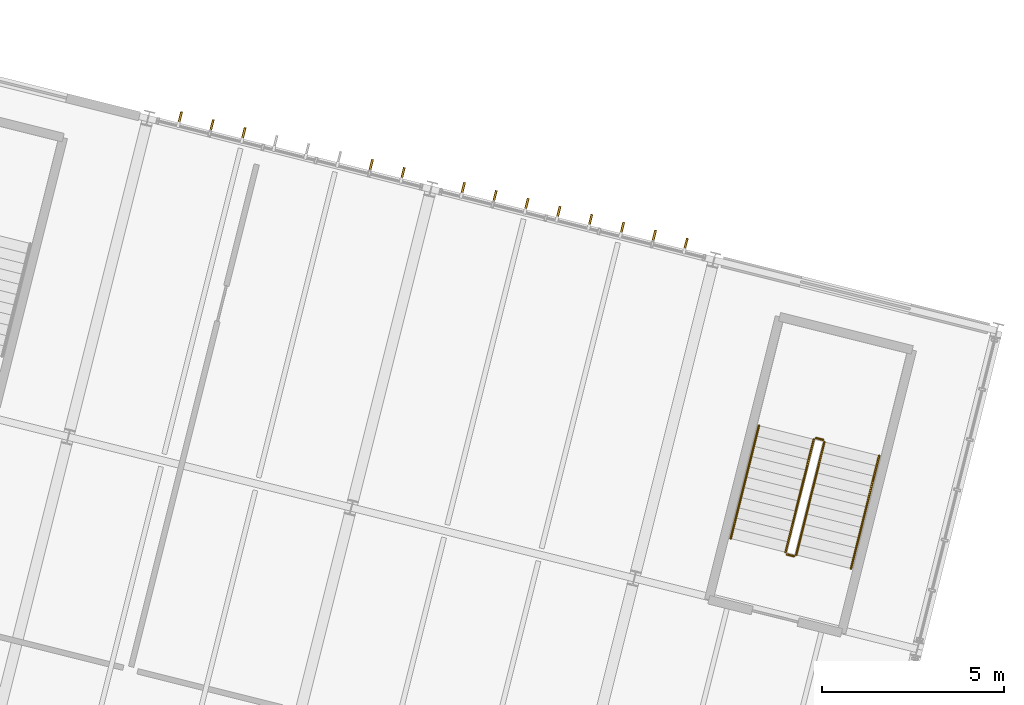
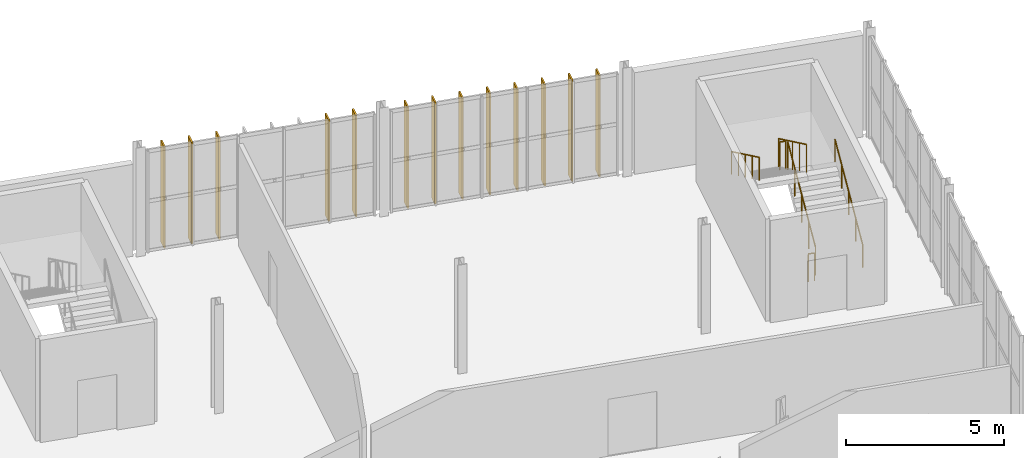
# One storey, part 61 of 61: 13 shading devices, 6 railings.
"""IFC4 building model written with IfcOpenShell, lengths in metres."""

from ifc_helpers import new_model, si_unit, derived_unit, direction, frame, origin, origin_2d, place, context, subcontext, project, spatial, rectangle, circle, extrude, material, layer, layer_set, type_object, element, save


model = new_model("IFC4")

# Units and contexts
model_context = context("Model", 3, precision=1e-05, world=origin(), true_north=direction((0.0, 1.0)))
body_context = subcontext(model_context, "Body", "Model", "MODEL_VIEW")
ifc_project = project(units=[si_unit("LENGTHUNIT", "METRE"), si_unit("AREAUNIT", "SQUARE_METRE"), si_unit("VOLUMEUNIT", "CUBIC_METRE"), si_unit("PLANEANGLEUNIT", "RADIAN"), si_unit("MASSUNIT", "GRAM", prefix="KILO"), si_unit("THERMODYNAMICTEMPERATUREUNIT", "KELVIN"), si_unit("TIMEUNIT", "SECOND"), derived_unit("THERMALTRANSMITTANCEUNIT", [(si_unit("MASSUNIT", "GRAM", prefix="KILO"), 1), (si_unit("THERMODYNAMICTEMPERATUREUNIT", "KELVIN"), -1), (si_unit("TIMEUNIT", "SECOND"), -3)])], contexts=[model_context])

# Site, building, storey
site_placement = place(None, origin())
site = spatial("IfcSite", under=ifc_project, at=site_placement, CompositionType="ELEMENT")
building_placement = place(site_placement, origin())
building = spatial("IfcBuilding", under=site, at=building_placement, Name="Cambertide Market Hall", CompositionType="ELEMENT")
storey_placement = place(building_placement, frame((0.0, 0.0, 9.89990234375)))
storey = spatial("IfcBuildingStorey", under=building, at=storey_placement, Name="L03", CompositionType="ELEMENT", Elevation=9.89990234375)

# Railings
ifc_material_1 = material(Name="Stainless Steel Grade 316", Category="metal")
railing_type_1 = type_object("IfcRailingType", Name="Stair Wall Handrail 900", PredefinedType="HANDRAIL", material=ifc_material_1)
railing_1_placement = place(storey_placement, frame((172.6357421875, 104.1474609375, 0.175048828125)))
element("IfcRailing", 1, at=railing_1_placement, inside=storey, type_object=railing_type_1, Name="Level 3 ST-08B stair handrail 1", PredefinedType="HANDRAIL", context=body_context, shape_type="SweptSolid", body=[
    extrude(circle(Radius=0.02392578125, at=origin_2d()), frame((0.0, 0.0, 0.8759765625), z_axis=(0.207654101688, 0.830616406754, 0.516678003097), x_axis=(-0.970142500145, 0.242535625036, 0.0)), (0.0, 0.0, 1.0), 3.725830078125),
    extrude(circle(Radius=0.02099609375, at=origin_2d()), origin(), (0.0, 0.0, 1.0), 0.851806640625),
    extrude(circle(Radius=0.02099609375, at=origin_2d()), frame((0.193359375, 0.773681640625, 0.481201171875)), (0.0, 0.0, 1.0), 0.851806640625),
    extrude(circle(Radius=0.02099609375, at=origin_2d()), frame((0.38671875, 1.54736328125, 0.96240234375)), (0.0, 0.0, 1.0), 0.851806640625),
    extrude(circle(Radius=0.02099609375, at=origin_2d()), frame((0.580322265625, 2.321044921875, 1.44384765625)), (0.0, 0.0, 1.0), 0.851806640625),
    extrude(circle(Radius=0.02099609375, at=origin_2d()), frame((0.773681640625, 3.0947265625, 1.925048828125)), (0.0, 0.0, 1.0), 0.851806640625),
])
railing_2_placement = place(storey_placement, frame((170.11083984375, 108.066650390625, 2.275146484375)))
element("IfcRailing", 2, at=railing_2_placement, inside=storey, type_object=railing_type_1, Name="Level 3 ST-08B stair handrail 2", PredefinedType="HANDRAIL", context=body_context, shape_type="SweptSolid", body=[
    extrude(circle(Radius=0.02392578125, at=origin_2d()), frame((0.0, 0.0, 0.8759765625), z_axis=(-0.207654101688, -0.830616406754, 0.516678003097), x_axis=(0.970142500145, -0.242535625036, 0.0)), (0.0, 0.0, 1.0), 3.725830078125),
    extrude(circle(Radius=0.02099609375, at=origin_2d()), origin(), (0.0, 0.0, 1.0), 0.851806640625),
    extrude(circle(Radius=0.02099609375, at=origin_2d()), frame((-0.193359375, -0.773681640625, 0.481201171875)), (0.0, 0.0, 1.0), 0.851806640625),
    extrude(circle(Radius=0.02099609375, at=origin_2d()), frame((-0.38671875, -1.54736328125, 0.96240234375)), (0.0, 0.0, 1.0), 0.851806640625),
    extrude(circle(Radius=0.02099609375, at=origin_2d()), frame((-0.580322265625, -2.321044921875, 1.44384765625)), (0.0, 0.0, 1.0), 0.851806640625),
    extrude(circle(Radius=0.02099609375, at=origin_2d()), frame((-0.773681640625, -3.0947265625, 1.925048828125)), (0.0, 0.0, 1.0), 0.851806640625),
])
ifc_material_2 = material(Name="Stainless Steel Grade 316", Category="metal")
railing_type_2 = type_object("IfcRailingType", Name="Stairwell Inner Guardrail 1100", PredefinedType="GUARDRAIL", material=ifc_material_2)
railing_3_placement = place(storey_placement, frame((171.132080078125, 104.523193359375, 0.175048828125)))
element("IfcRailing", 3, at=railing_3_placement, inside=storey, type_object=railing_type_2, Name="Level 3 ST-08B stair guard 1", PredefinedType="GUARDRAIL", context=body_context, shape_type="SweptSolid", body=[
    extrude(circle(Radius=0.02392578125, at=origin_2d()), frame((0.0, 0.0, 1.076171875), z_axis=(0.207642800061, 0.830636723376, 0.516649882766), x_axis=(-0.970147001632, 0.242517618378, 0.0)), (0.0, 0.0, 1.0), 3.72607421875),
    extrude(circle(Radius=0.02099609375, at=origin_2d()), origin(), (0.0, 0.0, 1.0), 1.052001953125),
    extrude(circle(Radius=0.02099609375, at=origin_2d()), frame((0.193359375, 0.773681640625, 0.481201171875)), (0.0, 0.0, 1.0), 1.052001953125),
    extrude(circle(Radius=0.02099609375, at=origin_2d()), frame((0.38671875, 1.54736328125, 0.96240234375)), (0.0, 0.0, 1.0), 1.052001953125),
    extrude(circle(Radius=0.02099609375, at=origin_2d()), frame((0.580322265625, 2.3212890625, 1.44384765625)), (0.0, 0.0, 1.0), 1.052001953125),
    extrude(circle(Radius=0.02099609375, at=origin_2d()), frame((0.773681640625, 3.094970703125, 1.925048828125)), (0.0, 0.0, 1.0), 1.052001953125),
])
railing_4_placement = place(storey_placement, frame((171.869384765625, 107.6787109375, 2.10009765625)))
element("IfcRailing", 4, at=railing_4_placement, inside=storey, type_object=railing_type_2, Name="Level 3 ST-08B stair guard 2", PredefinedType="GUARDRAIL", context=body_context, shape_type="SweptSolid", body=[
    extrude(circle(Radius=0.02392578125, at=origin_2d()), frame((0.0, 0.0, 1.076171875), z_axis=(-0.970070680326, 0.242822723755, 0.0), x_axis=(-0.242822723755, -0.970070680326, 0.0)), (0.0, 0.0, 1.0), 0.2001953125),
    extrude(circle(Radius=0.02099609375, at=origin_2d()), origin(), (0.0, 0.0, 1.0), 1.052001953125),
    extrude(circle(Radius=0.02099609375, at=origin_2d()), frame((-0.194091796875, 0.048583984375, 0.0)), (0.0, 0.0, 1.0), 1.052001953125),
])
railing_5_placement = place(storey_placement, frame((171.61474609375, 107.69091796875, 2.275146484375)))
element("IfcRailing", 5, at=railing_5_placement, inside=storey, type_object=railing_type_2, Name="Level 3 ST-08B stair guard 3", PredefinedType="GUARDRAIL", context=body_context, shape_type="SweptSolid", body=[
    extrude(circle(Radius=0.02392578125, at=origin_2d()), frame((0.0, 0.0, 1.076171875), z_axis=(-0.207642800061, -0.830636723376, 0.516649882766), x_axis=(0.970147001632, -0.242517618378, 0.0)), (0.0, 0.0, 1.0), 3.72607421875),
    extrude(circle(Radius=0.02099609375, at=origin_2d()), origin(), (0.0, 0.0, 1.0), 1.052001953125),
    extrude(circle(Radius=0.02099609375, at=origin_2d()), frame((-0.193359375, -0.773681640625, 0.481201171875)), (0.0, 0.0, 1.0), 1.052001953125),
    extrude(circle(Radius=0.02099609375, at=origin_2d()), frame((-0.38671875, -1.54736328125, 0.96240234375)), (0.0, 0.0, 1.0), 1.052001953125),
    extrude(circle(Radius=0.02099609375, at=origin_2d()), frame((-0.580322265625, -2.3212890625, 1.44384765625)), (0.0, 0.0, 1.0), 1.052001953125),
    extrude(circle(Radius=0.02099609375, at=origin_2d()), frame((-0.773681640625, -3.094970703125, 1.925048828125)), (0.0, 0.0, 1.0), 1.052001953125),
])
railing_6_placement = place(storey_placement, frame((171.0712890625, 104.48681640625, 0.0)))
element("IfcRailing", 6, at=railing_6_placement, inside=storey, type_object=railing_type_2, Name="Level 3 ST-08B stair guard 4", PredefinedType="GUARDRAIL", context=body_context, shape_type="SweptSolid", body=[
    extrude(circle(Radius=0.02392578125, at=origin_2d()), frame((0.0, 0.0, 1.076171875), z_axis=(-0.969998605015, 0.24311048161, 0.0), x_axis=(-0.24311048161, -0.969998605015, 0.0)), (0.0, 0.0, 1.0), 0.199951171875),
    extrude(circle(Radius=0.02099609375, at=origin_2d()), origin(), (0.0, 0.0, 1.0), 1.052001953125),
    extrude(circle(Radius=0.02099609375, at=origin_2d()), frame((-0.19384765625, 0.048583984375, 0.0)), (0.0, 0.0, 1.0), 1.052001953125),
])

# Shading devices
ifc_material_3 = material(Name="Champagne Marine Anodized Aluminium 6063-T6 AA25", Category="aluminium")
ifc_layer = layer(ifc_material_3, 0.054931640625, Name="Wing Facade Vertical Sun Fin 380x55")
ifc_layer_set = layer_set([ifc_layer], Name="Champagne Marine Anodized Aluminium 6063-T6 AA25")
shading_device_type = type_object("IfcShadingDeviceType", Name="Wing Facade Vertical Sun Fin 380x55", PredefinedType="JALOUSIE", material=ifc_layer_set)
for number, where, z_axis, x_axis, name in (
    (7, (154.229736328125, 116.489990234375, 0.000244140625), (0.0, 0.0, 1.0), (0.970142500145, -0.242535625038, 0.0), "CW-V4N-L03-6 Vertical Fin 1"),
    (8, (155.102783203125, 116.271728515625, 0.000244140625), (0.0, 0.0, 1.0), (0.970142500145, -0.242535625038, 0.0), "CW-V4N-L03-6 Vertical Fin 2"),
    (9, (155.97607421875, 116.053466796875, 0.000244140625), (0.0, 0.0, 1.0), (0.970142500145, -0.242535625038, 0.0), "CW-V4N-L03-6 Vertical Fin 3"),
    (10, (159.468505859375, 115.180419921875, 0.000244140625), (0.0, 0.0, 1.0), (0.970142500145, -0.242535625038, 0.0), "CW-V4N-L03-6 Vertical Fin 7"),
    (11, (160.341552734375, 114.9619140625, 0.000244140625), (0.0, 0.0, 1.0), (0.970142500145, -0.242535625038, 0.0), "CW-V4N-L03-6 Vertical Fin 8"),
    (12, (161.990966796875, 114.5498046875, 0.000244140625), (0.0, 0.0, 1.0), (0.970142500145, -0.242535625038, 0.0), "CW-V4N-L03-7 Vertical Fin 1"),
    (13, (162.864013671875, 114.33154296875, 0.000244140625), (0.0, 0.0, 1.0), (0.970142500145, -0.242535625038, 0.0), "CW-V4N-L03-7 Vertical Fin 2"),
    (14, (163.737060546875, 114.113037109375, 0.000244140625), (0.0, 0.0, 1.0), (0.970142500145, -0.242535625038, 0.0), "CW-V4N-L03-7 Vertical Fin 3"),
    (15, (164.6103515625, 113.894775390625, 0.000244140625), (0.0, 0.0, 1.0), (0.970142500145, -0.242535625038, 0.0), "CW-V4N-L03-7 Vertical Fin 4"),
    (16, (165.4833984375, 113.676513671875, 0.000244140625), (0.0, 0.0, 1.0), (0.970142500145, -0.242535625038, 0.0), "CW-V4N-L03-7 Vertical Fin 5"),
    (17, (166.3564453125, 113.458251953125, 0.000244140625), (0.0, 0.0, 1.0), (0.970142500145, -0.242535625038, 0.0), "CW-V4N-L03-7 Vertical Fin 6"),
    (18, (167.229736328125, 113.239990234375, 0.000244140625), (0.0, 0.0, 1.0), (0.970142500145, -0.242535625038, 0.0), "CW-V4N-L03-7 Vertical Fin 7"),
    (19, (168.102783203125, 113.021728515625, 0.000244140625), (0.0, 0.0, 1.0), (0.970142500145, -0.242535625038, 0.0), "CW-V4N-L03-7 Vertical Fin 8"),
):
    element("IfcShadingDevice", number, at=place(storey_placement, frame(where, z_axis=z_axis, x_axis=x_axis)), inside=storey, type_object=shading_device_type, Name=name, PredefinedType="JALOUSIE", context=body_context, shape_type="SweptSolid", body=[
        extrude(rectangle(XDim=0.054931640625, YDim=0.3798828125, at=origin_2d()), origin(), (0.0, 0.0, 1.0), 3.919921875),
    ])

save(model, "model.ifc")
